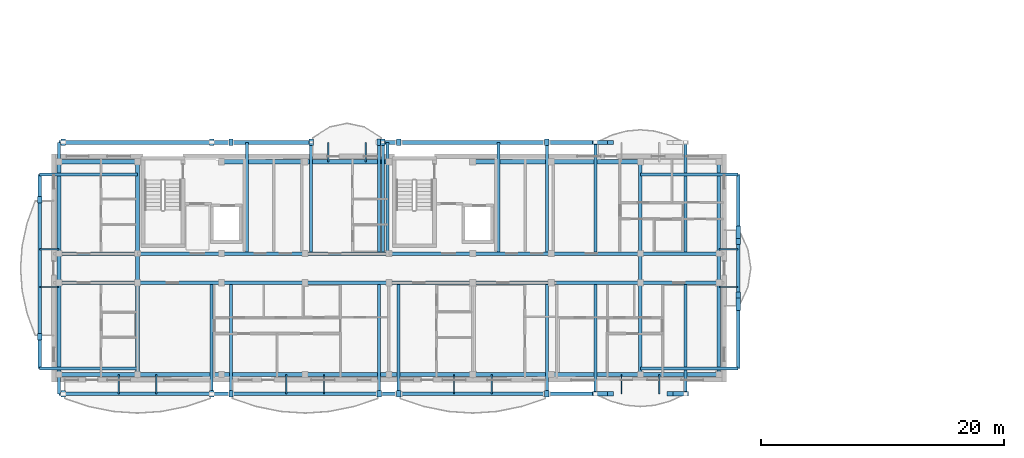
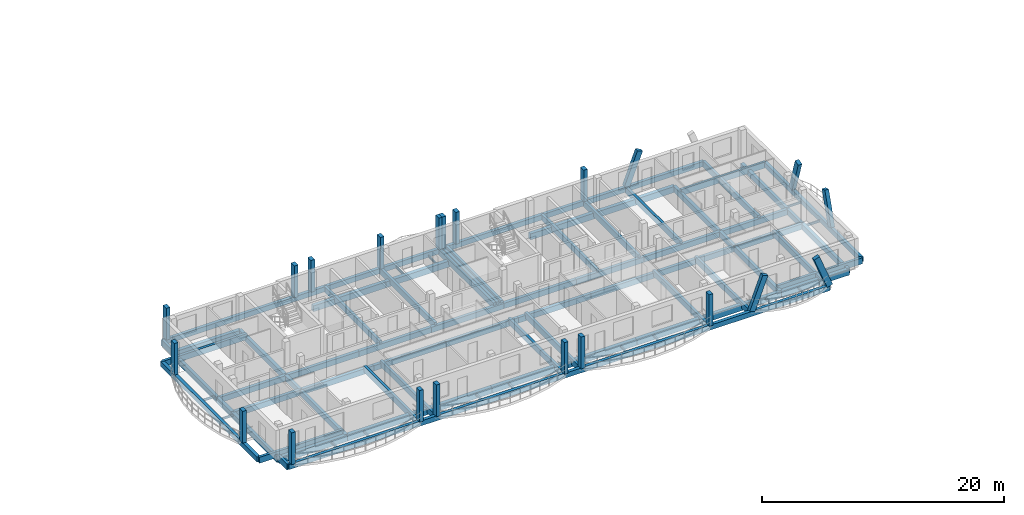
# One storey, part 3 of 42: 81 beams, 21 members.
"""IFC4 building model written with IfcOpenShell, lengths in metres."""

from ifc_helpers import new_model, si_unit, direction, frame, origin, origin_2d, place, context, subcontext, project, spatial, rectangle, i_section, extrude, material, material_profile, profile_set, type_object, element, save


model = new_model("IFC4")

# Units and contexts
model_context = context("Model", 3, precision=1e-05, world=origin(), true_north=direction((0.0, 1.0)))
body_context = subcontext(model_context, "Body", "Model", "MODEL_VIEW")
ifc_project = project(units=[si_unit("LENGTHUNIT", "METRE"), si_unit("AREAUNIT", "SQUARE_METRE"), si_unit("VOLUMEUNIT", "CUBIC_METRE"), si_unit("PLANEANGLEUNIT", "RADIAN"), si_unit("MASSUNIT", "GRAM", prefix="KILO")], contexts=[model_context])

# Site, building, storey
site_placement = place(None, origin())
site = spatial("IfcSite", under=ifc_project, at=site_placement, CompositionType="ELEMENT")
building_placement = place(site_placement, origin())
building = spatial("IfcBuilding", under=site, at=building_placement, Name="Zavelmont Quarter", CompositionType="ELEMENT")
storey_placement = place(building_placement, frame((0.0, 0.0, 24.0)))
storey = spatial("IfcBuildingStorey", under=building, at=storey_placement, Name="L07", CompositionType="ELEMENT", Elevation=24.0)

# Beams
ifc_material_1 = material(Name="Concrete C35/45", Category="concrete")
ifc_material_profile_1 = material_profile(ifc_material_1, rectangle(XDim=0.35009765625, YDim=0.60009765625, at=origin_2d()), Name="RC350X600")
ifc_profile_set_1 = profile_set([ifc_material_profile_1], Name="Concrete C35/45")
beam_type_1 = type_object("IfcBeamType", Name="BM01", PredefinedType="SPANDREL", material=ifc_profile_set_1)
beam_1_placement = place(storey_placement, frame((0.43994140625, 0.43994140625, -0.550048828125), z_axis=(1.0, 0.0, 0.0), x_axis=(0.0, 1.0, 0.0)))
element("IfcBeam", 1, at=beam_1_placement, inside=storey, type_object=beam_type_1, Name="L07 beam BM01 1/A to 2/A", PredefinedType="SPANDREL", context=body_context, shape_type="SweptSolid", body=[
    extrude(rectangle(XDim=0.35009765625, YDim=0.60009765625, at=origin_2d()), origin(), (0.0, 0.0, 1.0), 6.4599609375),
])
beam_2_placement = place(storey_placement, frame((6.89990234375, 0.43994140625, -0.550048828125), z_axis=(1.0, 0.0, 0.0), x_axis=(0.0, 1.0, 0.0)))
element("IfcBeam", 2, at=beam_2_placement, inside=storey, type_object=beam_type_1, Name="L07 beam BM01 2/A to 3/A", PredefinedType="SPANDREL", context=body_context, shape_type="SweptSolid", body=[
    extrude(rectangle(XDim=0.35009765625, YDim=0.60009765625, at=origin_2d()), origin(), (0.0, 0.0, 1.0), 6.900146484375),
])
beam_3_placement = place(storey_placement, frame((13.800048828125, 0.43994140625, -0.550048828125), z_axis=(1.0, 0.0, 0.0), x_axis=(0.0, 1.0, 0.0)))
element("IfcBeam", 3, at=beam_3_placement, inside=storey, type_object=beam_type_1, Name="L07 beam BM01 3/A to 4/A", PredefinedType="SPANDREL", context=body_context, shape_type="SweptSolid", body=[
    extrude(rectangle(XDim=0.35009765625, YDim=0.60009765625, at=origin_2d()), origin(), (0.0, 0.0, 1.0), 6.89990234375),
])
beam_4_placement = place(storey_placement, frame((20.699951171875, 0.43994140625, -0.550048828125), z_axis=(1.0, 0.0, 0.0), x_axis=(0.0, 1.0, 0.0)))
element("IfcBeam", 4, at=beam_4_placement, inside=storey, type_object=beam_type_1, Name="L07 beam BM01 4/A to 5/A", PredefinedType="SPANDREL", context=body_context, shape_type="SweptSolid", body=[
    extrude(rectangle(XDim=0.35009765625, YDim=0.60009765625, at=origin_2d()), origin(), (0.0, 0.0, 1.0), 6.900146484375),
])
beam_5_placement = place(storey_placement, frame((27.60009765625, 0.43994140625, -0.550048828125), z_axis=(1.0, 0.0, 0.0), x_axis=(0.0, 1.0, 0.0)))
element("IfcBeam", 5, at=beam_5_placement, inside=storey, type_object=beam_type_1, Name="L07 beam BM01 5/A to 6/A", PredefinedType="SPANDREL", context=body_context, shape_type="SweptSolid", body=[
    extrude(rectangle(XDim=0.35009765625, YDim=0.60009765625, at=origin_2d()), origin(), (0.0, 0.0, 1.0), 6.89990234375),
])
beam_6_placement = place(storey_placement, frame((34.5, 0.43994140625, -0.550048828125), z_axis=(1.0, 0.0, 0.0), x_axis=(0.0, 1.0, 0.0)))
element("IfcBeam", 6, at=beam_6_placement, inside=storey, type_object=beam_type_1, Name="L07 beam BM01 6/A to 7/A", PredefinedType="SPANDREL", context=body_context, shape_type="SweptSolid", body=[
    extrude(rectangle(XDim=0.35009765625, YDim=0.60009765625, at=origin_2d()), origin(), (0.0, 0.0, 1.0), 6.4599609375),
])
beam_7_placement = place(storey_placement, frame((40.9599609375, 0.43994140625, -0.550048828125), z_axis=(1.0, 0.0, 0.0), x_axis=(0.0, 1.0, 0.0)))
element("IfcBeam", 7, at=beam_7_placement, inside=storey, type_object=beam_type_1, Name="L07 beam BM01 7/A to 8/A", PredefinedType="SPANDREL", context=body_context, shape_type="SweptSolid", body=[
    extrude(rectangle(XDim=0.35009765625, YDim=0.60009765625, at=origin_2d()), origin(), (0.0, 0.0, 1.0), 7.340087890625),
])
for number, where, z_axis, x_axis, name in (
    (8, (48.300048828125, 0.43994140625, -0.550048828125), (1.0, 0.0, 0.0), (0.0, 1.0, 0.0), "L07 beam BM01 8/A to 9/A"),
    (9, (0.43994140625, 17.9599609375, -0.550048828125), (1.0, 0.0, 0.0), (0.0, 1.0, 0.0), "L07 beam BM01 1/D to 2/D"),
):
    element("IfcBeam", number, at=place(storey_placement, frame(where, z_axis=z_axis, x_axis=x_axis)), inside=storey, type_object=beam_type_1, Name=name, PredefinedType="SPANDREL", context=body_context, shape_type="SweptSolid", body=[
        extrude(rectangle(XDim=0.35009765625, YDim=0.60009765625, at=origin_2d()), origin(), (0.0, 0.0, 1.0), 6.4599609375),
    ])
beam_8_placement = place(storey_placement, frame((13.800048828125, 17.9599609375, -0.550048828125), z_axis=(1.0, 0.0, 0.0), x_axis=(0.0, 1.0, 0.0)))
element("IfcBeam", 10, at=beam_8_placement, inside=storey, type_object=beam_type_1, Name="L07 beam BM01 3/D to 4/D", PredefinedType="SPANDREL", context=body_context, shape_type="SweptSolid", body=[
    extrude(rectangle(XDim=0.35009765625, YDim=0.60009765625, at=origin_2d()), origin(), (0.0, 0.0, 1.0), 6.89990234375),
])
beam_9_placement = place(storey_placement, frame((20.699951171875, 17.9599609375, -0.550048828125), z_axis=(1.0, 0.0, 0.0), x_axis=(0.0, 1.0, 0.0)))
element("IfcBeam", 11, at=beam_9_placement, inside=storey, type_object=beam_type_1, Name="L07 beam BM01 4/D to 5/D", PredefinedType="SPANDREL", context=body_context, shape_type="SweptSolid", body=[
    extrude(rectangle(XDim=0.35009765625, YDim=0.60009765625, at=origin_2d()), origin(), (0.0, 0.0, 1.0), 6.900146484375),
])
beam_10_placement = place(storey_placement, frame((34.5, 17.9599609375, -0.550048828125), z_axis=(1.0, 0.0, 0.0), x_axis=(0.0, 1.0, 0.0)))
element("IfcBeam", 12, at=beam_10_placement, inside=storey, type_object=beam_type_1, Name="L07 beam BM01 6/D to 7/D", PredefinedType="SPANDREL", context=body_context, shape_type="SweptSolid", body=[
    extrude(rectangle(XDim=0.35009765625, YDim=0.60009765625, at=origin_2d()), origin(), (0.0, 0.0, 1.0), 6.4599609375),
])
beam_11_placement = place(storey_placement, frame((40.9599609375, 17.9599609375, -0.550048828125), z_axis=(1.0, 0.0, 0.0), x_axis=(0.0, 1.0, 0.0)))
element("IfcBeam", 13, at=beam_11_placement, inside=storey, type_object=beam_type_1, Name="L07 beam BM01 7/D to 8/D", PredefinedType="SPANDREL", context=body_context, shape_type="SweptSolid", body=[
    extrude(rectangle(XDim=0.35009765625, YDim=0.60009765625, at=origin_2d()), origin(), (0.0, 0.0, 1.0), 7.340087890625),
])
ifc_material_profile_2 = material_profile(ifc_material_1, rectangle(XDim=0.300048828125, YDim=0.550048828125, at=origin_2d()), Name="RC300X550")
ifc_profile_set_2 = profile_set([ifc_material_profile_2], Name="Concrete C35/45")
beam_type_2 = type_object("IfcBeamType", Name="BM02", PredefinedType="SPANDREL", material=ifc_profile_set_2)
beam_12_placement = place(storey_placement, frame((0.43994140625, 8.0, -0.52490234375), z_axis=(1.0, 0.0, 0.0), x_axis=(0.0, 1.0, 0.0)))
element("IfcBeam", 14, at=beam_12_placement, inside=storey, type_object=beam_type_2, Name="L07 beam BM02 1/B to 2/B", PredefinedType="SPANDREL", context=body_context, shape_type="SweptSolid", body=[
    extrude(rectangle(XDim=0.300048828125, YDim=0.550048828125, at=origin_2d()), origin(), (0.0, 0.0, 1.0), 6.4599609375),
])
beam_13_placement = place(storey_placement, frame((6.89990234375, 8.0, -0.52490234375), z_axis=(1.0, 0.0, 0.0), x_axis=(0.0, 1.0, 0.0)))
element("IfcBeam", 15, at=beam_13_placement, inside=storey, type_object=beam_type_2, Name="L07 beam BM02 2/B to 3/B", PredefinedType="SPANDREL", context=body_context, shape_type="SweptSolid", body=[
    extrude(rectangle(XDim=0.300048828125, YDim=0.550048828125, at=origin_2d()), origin(), (0.0, 0.0, 1.0), 6.900146484375),
])
beam_14_placement = place(storey_placement, frame((13.800048828125, 8.0, -0.52490234375), z_axis=(1.0, 0.0, 0.0), x_axis=(0.0, 1.0, 0.0)))
element("IfcBeam", 16, at=beam_14_placement, inside=storey, type_object=beam_type_2, Name="L07 beam BM02 3/B to 4/B", PredefinedType="SPANDREL", context=body_context, shape_type="SweptSolid", body=[
    extrude(rectangle(XDim=0.300048828125, YDim=0.550048828125, at=origin_2d()), origin(), (0.0, 0.0, 1.0), 6.89990234375),
])
beam_15_placement = place(storey_placement, frame((20.699951171875, 8.0, -0.52490234375), z_axis=(1.0, 0.0, 0.0), x_axis=(0.0, 1.0, 0.0)))
element("IfcBeam", 17, at=beam_15_placement, inside=storey, type_object=beam_type_2, Name="L07 beam BM02 4/B to 5/B", PredefinedType="SPANDREL", context=body_context, shape_type="SweptSolid", body=[
    extrude(rectangle(XDim=0.300048828125, YDim=0.550048828125, at=origin_2d()), origin(), (0.0, 0.0, 1.0), 6.900146484375),
])
beam_16_placement = place(storey_placement, frame((27.60009765625, 8.0, -0.52490234375), z_axis=(1.0, 0.0, 0.0), x_axis=(0.0, 1.0, 0.0)))
element("IfcBeam", 18, at=beam_16_placement, inside=storey, type_object=beam_type_2, Name="L07 beam BM02 5/B to 6/B", PredefinedType="SPANDREL", context=body_context, shape_type="SweptSolid", body=[
    extrude(rectangle(XDim=0.300048828125, YDim=0.550048828125, at=origin_2d()), origin(), (0.0, 0.0, 1.0), 6.89990234375),
])
beam_17_placement = place(storey_placement, frame((34.5, 8.0, -0.52490234375), z_axis=(1.0, 0.0, 0.0), x_axis=(0.0, 1.0, 0.0)))
element("IfcBeam", 19, at=beam_17_placement, inside=storey, type_object=beam_type_2, Name="L07 beam BM02 6/B to 7/B", PredefinedType="SPANDREL", context=body_context, shape_type="SweptSolid", body=[
    extrude(rectangle(XDim=0.300048828125, YDim=0.550048828125, at=origin_2d()), origin(), (0.0, 0.0, 1.0), 6.4599609375),
])
beam_18_placement = place(storey_placement, frame((40.9599609375, 8.0, -0.52490234375), z_axis=(1.0, 0.0, 0.0), x_axis=(0.0, 1.0, 0.0)))
element("IfcBeam", 20, at=beam_18_placement, inside=storey, type_object=beam_type_2, Name="L07 beam BM02 7/B to 8/B", PredefinedType="SPANDREL", context=body_context, shape_type="SweptSolid", body=[
    extrude(rectangle(XDim=0.300048828125, YDim=0.550048828125, at=origin_2d()), origin(), (0.0, 0.0, 1.0), 7.340087890625),
])
for number, where, z_axis, x_axis, name in (
    (21, (48.300048828125, 8.0, -0.52490234375), (1.0, 0.0, 0.0), (0.0, 1.0, 0.0), "L07 beam BM02 8/B to 9/B"),
    (22, (0.43994140625, 10.39990234375, -0.52490234375), (1.0, 0.0, 0.0), (0.0, 1.0, 0.0), "L07 beam BM02 1/C to 2/C"),
):
    element("IfcBeam", number, at=place(storey_placement, frame(where, z_axis=z_axis, x_axis=x_axis)), inside=storey, type_object=beam_type_2, Name=name, PredefinedType="SPANDREL", context=body_context, shape_type="SweptSolid", body=[
        extrude(rectangle(XDim=0.300048828125, YDim=0.550048828125, at=origin_2d()), origin(), (0.0, 0.0, 1.0), 6.4599609375),
    ])
beam_19_placement = place(storey_placement, frame((6.89990234375, 10.39990234375, -0.52490234375), z_axis=(1.0, 0.0, 0.0), x_axis=(0.0, 1.0, 0.0)))
element("IfcBeam", 23, at=beam_19_placement, inside=storey, type_object=beam_type_2, Name="L07 beam BM02 2/C to 3/C", PredefinedType="SPANDREL", context=body_context, shape_type="SweptSolid", body=[
    extrude(rectangle(XDim=0.300048828125, YDim=0.550048828125, at=origin_2d()), origin(), (0.0, 0.0, 1.0), 6.900146484375),
])
beam_20_placement = place(storey_placement, frame((13.800048828125, 10.39990234375, -0.52490234375), z_axis=(1.0, 0.0, 0.0), x_axis=(0.0, 1.0, 0.0)))
element("IfcBeam", 24, at=beam_20_placement, inside=storey, type_object=beam_type_2, Name="L07 beam BM02 3/C to 4/C", PredefinedType="SPANDREL", context=body_context, shape_type="SweptSolid", body=[
    extrude(rectangle(XDim=0.300048828125, YDim=0.550048828125, at=origin_2d()), origin(), (0.0, 0.0, 1.0), 6.89990234375),
])
beam_21_placement = place(storey_placement, frame((20.699951171875, 10.39990234375, -0.52490234375), z_axis=(1.0, 0.0, 0.0), x_axis=(0.0, 1.0, 0.0)))
element("IfcBeam", 25, at=beam_21_placement, inside=storey, type_object=beam_type_2, Name="L07 beam BM02 4/C to 5/C", PredefinedType="SPANDREL", context=body_context, shape_type="SweptSolid", body=[
    extrude(rectangle(XDim=0.300048828125, YDim=0.550048828125, at=origin_2d()), origin(), (0.0, 0.0, 1.0), 6.900146484375),
])
beam_22_placement = place(storey_placement, frame((27.60009765625, 10.39990234375, -0.52490234375), z_axis=(1.0, 0.0, 0.0), x_axis=(0.0, 1.0, 0.0)))
element("IfcBeam", 26, at=beam_22_placement, inside=storey, type_object=beam_type_2, Name="L07 beam BM02 5/C to 6/C", PredefinedType="SPANDREL", context=body_context, shape_type="SweptSolid", body=[
    extrude(rectangle(XDim=0.300048828125, YDim=0.550048828125, at=origin_2d()), origin(), (0.0, 0.0, 1.0), 6.89990234375),
])
beam_23_placement = place(storey_placement, frame((34.5, 10.39990234375, -0.52490234375), z_axis=(1.0, 0.0, 0.0), x_axis=(0.0, 1.0, 0.0)))
element("IfcBeam", 27, at=beam_23_placement, inside=storey, type_object=beam_type_2, Name="L07 beam BM02 6/C to 7/C", PredefinedType="SPANDREL", context=body_context, shape_type="SweptSolid", body=[
    extrude(rectangle(XDim=0.300048828125, YDim=0.550048828125, at=origin_2d()), origin(), (0.0, 0.0, 1.0), 6.4599609375),
])
beam_24_placement = place(storey_placement, frame((40.9599609375, 10.39990234375, -0.52490234375), z_axis=(1.0, 0.0, 0.0), x_axis=(0.0, 1.0, 0.0)))
element("IfcBeam", 28, at=beam_24_placement, inside=storey, type_object=beam_type_2, Name="L07 beam BM02 7/C to 8/C", PredefinedType="SPANDREL", context=body_context, shape_type="SweptSolid", body=[
    extrude(rectangle(XDim=0.300048828125, YDim=0.550048828125, at=origin_2d()), origin(), (0.0, 0.0, 1.0), 7.340087890625),
])
beam_25_placement = place(storey_placement, frame((48.300048828125, 10.39990234375, -0.52490234375), z_axis=(1.0, 0.0, 0.0), x_axis=(0.0, 1.0, 0.0)))
element("IfcBeam", 29, at=beam_25_placement, inside=storey, type_object=beam_type_2, Name="L07 beam BM02 8/C to 9/C", PredefinedType="SPANDREL", context=body_context, shape_type="SweptSolid", body=[
    extrude(rectangle(XDim=0.300048828125, YDim=0.550048828125, at=origin_2d()), origin(), (0.0, 0.0, 1.0), 6.4599609375),
])
beam_26_placement = place(storey_placement, frame((0.43994140625, 0.43994140625, -0.52490234375), z_axis=(0.0, 1.0, 0.0), x_axis=(-1.0, 0.0, 0.0)))
element("IfcBeam", 30, at=beam_26_placement, inside=storey, type_object=beam_type_2, Name="L07 beam BM02 1/A to 1/B", PredefinedType="SPANDREL", context=body_context, shape_type="SweptSolid", body=[
    extrude(rectangle(XDim=0.300048828125, YDim=0.550048828125, at=origin_2d()), origin(), (0.0, 0.0, 1.0), 7.56005859375),
])
beam_27_placement = place(storey_placement, frame((0.43994140625, 8.0, -0.52490234375), z_axis=(0.0, 1.0, 0.0), x_axis=(-1.0, 0.0, 0.0)))
element("IfcBeam", 31, at=beam_27_placement, inside=storey, type_object=beam_type_2, Name="L07 beam BM02 1/B to 1/C", PredefinedType="SPANDREL", context=body_context, shape_type="SweptSolid", body=[
    extrude(rectangle(XDim=0.300048828125, YDim=0.550048828125, at=origin_2d()), origin(), (0.0, 0.0, 1.0), 2.39990234375),
])
for number, where, z_axis, x_axis, name in (
    (32, (0.43994140625, 10.39990234375, -0.52490234375), (0.0, 1.0, 0.0), (-1.0, 0.0, 0.0), "L07 beam BM02 1/C to 1/D"),
    (33, (6.89990234375, 0.43994140625, -0.52490234375), (0.0, 1.0, 0.0), (-1.0, 0.0, 0.0), "L07 beam BM02 2/A to 2/B"),
):
    element("IfcBeam", number, at=place(storey_placement, frame(where, z_axis=z_axis, x_axis=x_axis)), inside=storey, type_object=beam_type_2, Name=name, PredefinedType="SPANDREL", context=body_context, shape_type="SweptSolid", body=[
        extrude(rectangle(XDim=0.300048828125, YDim=0.550048828125, at=origin_2d()), origin(), (0.0, 0.0, 1.0), 7.56005859375),
    ])
beam_28_placement = place(storey_placement, frame((6.89990234375, 8.0, -0.52490234375), z_axis=(0.0, 1.0, 0.0), x_axis=(-1.0, 0.0, 0.0)))
element("IfcBeam", 34, at=beam_28_placement, inside=storey, type_object=beam_type_2, Name="L07 beam BM02 2/B to 2/C", PredefinedType="SPANDREL", context=body_context, shape_type="SweptSolid", body=[
    extrude(rectangle(XDim=0.300048828125, YDim=0.550048828125, at=origin_2d()), origin(), (0.0, 0.0, 1.0), 2.39990234375),
])
for number, where, z_axis, x_axis, name in (
    (35, (6.89990234375, 10.39990234375, -0.52490234375), (0.0, 1.0, 0.0), (-1.0, 0.0, 0.0), "L07 beam BM02 2/C to 2/D"),
    (36, (48.300048828125, 0.43994140625, -0.52490234375), (0.0, 1.0, 0.0), (-1.0, 0.0, 0.0), "L07 beam BM02 8/A to 8/B"),
):
    element("IfcBeam", number, at=place(storey_placement, frame(where, z_axis=z_axis, x_axis=x_axis)), inside=storey, type_object=beam_type_2, Name=name, PredefinedType="SPANDREL", context=body_context, shape_type="SweptSolid", body=[
        extrude(rectangle(XDim=0.300048828125, YDim=0.550048828125, at=origin_2d()), origin(), (0.0, 0.0, 1.0), 7.56005859375),
    ])
beam_29_placement = place(storey_placement, frame((48.300048828125, 8.0, -0.52490234375), z_axis=(0.0, 1.0, 0.0), x_axis=(-1.0, 0.0, 0.0)))
element("IfcBeam", 37, at=beam_29_placement, inside=storey, type_object=beam_type_2, Name="L07 beam BM02 8/B to 8/C", PredefinedType="SPANDREL", context=body_context, shape_type="SweptSolid", body=[
    extrude(rectangle(XDim=0.300048828125, YDim=0.550048828125, at=origin_2d()), origin(), (0.0, 0.0, 1.0), 2.39990234375),
])
for number, where, z_axis, x_axis, name in (
    (38, (48.300048828125, 10.39990234375, -0.52490234375), (0.0, 1.0, 0.0), (-1.0, 0.0, 0.0), "L07 beam BM02 8/C to 8/D"),
    (39, (54.760009765625, 0.43994140625, -0.52490234375), (0.0, 1.0, 0.0), (-1.0, 0.0, 0.0), "L07 beam BM02 9/A to 9/B"),
):
    element("IfcBeam", number, at=place(storey_placement, frame(where, z_axis=z_axis, x_axis=x_axis)), inside=storey, type_object=beam_type_2, Name=name, PredefinedType="SPANDREL", context=body_context, shape_type="SweptSolid", body=[
        extrude(rectangle(XDim=0.300048828125, YDim=0.550048828125, at=origin_2d()), origin(), (0.0, 0.0, 1.0), 7.56005859375),
    ])
beam_30_placement = place(storey_placement, frame((54.760009765625, 8.0, -0.52490234375), z_axis=(0.0, 1.0, 0.0), x_axis=(-1.0, 0.0, 0.0)))
element("IfcBeam", 40, at=beam_30_placement, inside=storey, type_object=beam_type_2, Name="L07 beam BM02 9/B to 9/C", PredefinedType="SPANDREL", context=body_context, shape_type="SweptSolid", body=[
    extrude(rectangle(XDim=0.300048828125, YDim=0.550048828125, at=origin_2d()), origin(), (0.0, 0.0, 1.0), 2.39990234375),
])
beam_31_placement = place(storey_placement, frame((54.760009765625, 10.39990234375, -0.52490234375), z_axis=(0.0, 1.0, 0.0), x_axis=(-1.0, 0.0, 0.0)))
element("IfcBeam", 41, at=beam_31_placement, inside=storey, type_object=beam_type_2, Name="L07 beam BM02 9/C to 9/D", PredefinedType="SPANDREL", context=body_context, shape_type="SweptSolid", body=[
    extrude(rectangle(XDim=0.300048828125, YDim=0.550048828125, at=origin_2d()), origin(), (0.0, 0.0, 1.0), 7.56005859375),
])
ifc_material_profile_3 = material_profile(ifc_material_1, rectangle(XDim=0.300048828125, YDim=0.5, at=origin_2d()), Name="RC300X500")
ifc_profile_set_3 = profile_set([ifc_material_profile_3], Name="Concrete C35/45")
beam_type_3 = type_object("IfcBeamType", Name="BM03", PredefinedType="BEAM", material=ifc_profile_set_3)
for number, where, z_axis, x_axis, name in (
    (42, (0.43994140625, -1.14990234375, -0.25), (1.0, 0.0, 0.0), (0.0, 1.0, 0.0), "L07 beam BM03 1/A to 9/A"),
    (43, (0.43994140625, 19.550048828125, -0.25), (1.0, 0.0, 0.0), (0.0, 1.0, 0.0), "L07 beam BM03 1/D to 9/D"),
):
    element("IfcBeam", number, at=place(storey_placement, frame(where, z_axis=z_axis, x_axis=x_axis)), inside=storey, type_object=beam_type_3, Name=name, PredefinedType="BEAM", context=body_context, shape_type="SweptSolid", body=[
        extrude(rectangle(XDim=0.300048828125, YDim=0.5, at=origin_2d()), origin(), (0.0, 0.0, 1.0), 51.56103515625),
    ])
for number, where, z_axis, x_axis, name in (
    (44, (-1.14990234375, 0.949951171875, -0.25), (0.0, 1.0, 0.0), (-1.0, 0.0, 0.0), "L07 beam BM03 1/A to 1/D"),
    (45, (56.35009765625, 0.949951171875, -0.25), (0.0, 1.0, 0.0), (-1.0, 0.0, 0.0), "L07 beam BM03 9/A to 9/D"),
):
    element("IfcBeam", number, at=place(storey_placement, frame(where, z_axis=z_axis, x_axis=x_axis)), inside=storey, type_object=beam_type_3, Name=name, PredefinedType="BEAM", context=body_context, shape_type="SweptSolid", body=[
        extrude(rectangle(XDim=0.300048828125, YDim=0.5, at=origin_2d()), origin(), (0.0, 0.0, 1.0), 15.949951171875),
    ])
ifc_material_2 = material(Name="Steel S355", Category="steel")
ifc_material_profile_4 = material_profile(ifc_material_2, i_section(OverallWidth=0.110107421875, OverallDepth=0.219970703125, WebThickness=0.005859375, FlangeThickness=0.00927734375, at=origin_2d()), Name="IPE 220")
ifc_profile_set_4 = profile_set([ifc_material_profile_4], Name="Steel S355")
beam_type_4 = type_object("IfcBeamType", Name="BM15", PredefinedType="JOIST", material=ifc_profile_set_4)
for number, where, z_axis, x_axis, name in (
    (46, (5.35009765625, 0.43994140625, -0.362060546875), (0.0, -1.0, 0.0), (1.0, 0.0, 0.0), "L07 beam BM15 2/A to 2/A"),
    (47, (8.449951171875, 0.43994140625, -0.362060546875), (0.0, -1.0, 0.0), (1.0, 0.0, 0.0), "L07 beam BM15 2/A to 2/A"),
    (48, (19.14990234375, 0.43994140625, -0.366943359375), (0.0, -1.0, 0.0), (1.0, 0.0, 0.0), "L07 beam BM15 4/A to 4/A"),
    (49, (22.25, 0.43994140625, -0.366943359375), (0.0, -1.0, 0.0), (1.0, 0.0, 0.0), "L07 beam BM15 4/A to 4/A"),
    (50, (32.949951171875, 0.43994140625, -0.362060546875), (0.0, -1.0, 0.0), (1.0, 0.0, 0.0), "L07 beam BM15 6/A to 6/A"),
    (51, (36.050048828125, 0.43994140625, -0.362060546875), (0.0, -1.0, 0.0), (1.0, 0.0, 0.0), "L07 beam BM15 6/A to 6/A"),
    (52, (46.75, 0.43994140625, -0.362060546875), (0.0, -1.0, 0.0), (1.0, 0.0, 0.0), "L07 beam BM15 8/A to 8/A"),
    (53, (49.85009765625, 0.43994140625, -0.362060546875), (0.0, -1.0, 0.0), (1.0, 0.0, 0.0), "L07 beam BM15 8/A to 8/A"),
    (54, (0.43994140625, 7.64990234375, -0.366943359375), (-1.0, 0.0, 0.0), (0.0, -1.0, 0.0), "L07 beam BM15 1/B to 1/B"),
    (55, (0.43994140625, 10.75, -0.366943359375), (-1.0, 0.0, 0.0), (0.0, -1.0, 0.0), "L07 beam BM15 1/C to 1/C"),
):
    element("IfcBeam", number, at=place(storey_placement, frame(where, z_axis=z_axis, x_axis=x_axis)), inside=storey, type_object=beam_type_4, Name=name, PredefinedType="JOIST", context=body_context, shape_type="SweptSolid", body=[
        extrude(i_section(OverallWidth=0.110107421875, OverallDepth=0.219970703125, WebThickness=0.005859375, FlangeThickness=0.00927734375, at=origin_2d()), origin(), (0.0, 0.0, 1.0), 1.58984375),
    ])
for number, where, z_axis, x_axis, name in (
    (56, (54.760009765625, 7.64990234375, -0.362060546875), (1.0, 0.0, 0.0), (0.0, 1.0, 0.0), "L07 beam BM15 9/B to 9/B"),
    (57, (54.760009765625, 10.75, -0.362060546875), (1.0, 0.0, 0.0), (0.0, 1.0, 0.0), "L07 beam BM15 9/C to 9/C"),
    (58, (22.60009765625, 17.9599609375, -0.362060546875), (0.0, 1.0, 0.0), (-1.0, 0.0, 0.0), "L07 beam BM15 4/D to 4/D"),
    (59, (25.699951171875, 17.9599609375, -0.362060546875), (0.0, 1.0, 0.0), (-1.0, 0.0, 0.0), "L07 beam BM15 5/D to 5/D"),
):
    element("IfcBeam", number, at=place(storey_placement, frame(where, z_axis=z_axis, x_axis=x_axis)), inside=storey, type_object=beam_type_4, Name=name, PredefinedType="JOIST", context=body_context, shape_type="SweptSolid", body=[
        extrude(i_section(OverallWidth=0.110107421875, OverallDepth=0.219970703125, WebThickness=0.005859375, FlangeThickness=0.00927734375, at=origin_2d()), origin(), (0.0, 0.0, 1.0), 1.590087890625),
    ])
ifc_material_3 = material(Name="Concrete C40/50", Category="concrete")
ifc_material_profile_5 = material_profile(ifc_material_3, rectangle(XDim=0.25, YDim=0.60009765625, at=origin_2d()), Name="RC250X600")
ifc_profile_set_5 = profile_set([ifc_material_profile_5], Name="Concrete C40/50")
beam_type_5 = type_object("IfcBeamType", Name="BM18", PredefinedType="BEAM", material=ifc_profile_set_5)
beam_32_placement = place(storey_placement, frame((0.43994140625, 0.43994140625, -0.300048828125), z_axis=(0.0, -1.0, 0.0), x_axis=(1.0, 0.0, 0.0)))
element("IfcBeam", 60, at=beam_32_placement, inside=storey, type_object=beam_type_5, Name="L07 beam BM18 1/A to 1/A", PredefinedType="BEAM", context=body_context, shape_type="SweptSolid", body=[
    extrude(rectangle(XDim=0.25, YDim=0.60009765625, at=origin_2d()), origin(), (0.0, 0.0, 1.0), 1.58984375),
])
for number, where, z_axis, x_axis, name in (
    (61, (13.0, 8.0, -0.300048828125), (0.0, -1.0, 0.0), (1.0, 0.0, 0.0), "L07 beam BM18 3/B to 3/A"),
    (62, (14.60009765625, 8.0, -0.300048828125), (0.0, -1.0, 0.0), (1.0, 0.0, 0.0), "L07 beam BM18 3/B to 3/A"),
    (63, (26.800048828125, 8.0, -0.300048828125), (0.0, -1.0, 0.0), (1.0, 0.0, 0.0), "L07 beam BM18 5/B to 5/A"),
    (64, (28.39990234375, 8.0, -0.300048828125), (0.0, -1.0, 0.0), (1.0, 0.0, 0.0), "L07 beam BM18 5/B to 5/A"),
    (65, (40.60009765625, 8.0, -0.300048828125), (0.0, -1.0, 0.0), (1.0, 0.0, 0.0), "L07 beam BM18 7/B to 7/A"),
    (66, (44.5986328125, 8.0, -0.300048828125), (0.0, -1.0, 0.0), (1.0, 0.0, 0.0), "L07 beam BM18 7/B to 7/A"),
    (67, (52.001220703125, 8.0, -0.300048828125), (0.0, -1.0, 0.0), (1.0, 0.0, 0.0), "L07 beam BM18 9/B to 9/A"),
):
    element("IfcBeam", number, at=place(storey_placement, frame(where, z_axis=z_axis, x_axis=x_axis)), inside=storey, type_object=beam_type_5, Name=name, PredefinedType="BEAM", context=body_context, shape_type="SweptSolid", body=[
        extrude(rectangle(XDim=0.25, YDim=0.60009765625, at=origin_2d()), origin(), (0.0, 0.0, 1.0), 9.14990234375),
    ])
beam_33_placement = place(storey_placement, frame((0.43994140625, 17.9599609375, -0.300048828125), z_axis=(0.0, 1.0, 0.0), x_axis=(-1.0, 0.0, 0.0)))
element("IfcBeam", 68, at=beam_33_placement, inside=storey, type_object=beam_type_5, Name="L07 beam BM18 1/D to 1/D", PredefinedType="BEAM", context=body_context, shape_type="SweptSolid", body=[
    extrude(rectangle(XDim=0.25, YDim=0.60009765625, at=origin_2d()), origin(), (0.0, 0.0, 1.0), 1.590087890625),
])
for number, where, z_axis, x_axis, name in (
    (69, (15.925048828125, 10.39990234375, -0.300048828125), (0.0, 1.0, 0.0), (-1.0, 0.0, 0.0), "L07 beam BM18 3/C to 3/D"),
    (70, (26.800048828125, 10.39990234375, -0.300048828125), (0.0, 1.0, 0.0), (-1.0, 0.0, 0.0), "L07 beam BM18 5/C to 5/D"),
    (71, (27.5, 10.39990234375, -0.300048828125), (0.0, 1.0, 0.0), (-1.0, 0.0, 0.0), "L07 beam BM18 5/C to 5/D"),
    (72, (36.625, 10.39990234375, -0.300048828125), (0.0, 1.0, 0.0), (-1.0, 0.0, 0.0), "L07 beam BM18 6/C to 6/D"),
    (73, (40.60009765625, 10.39990234375, -0.300048828125), (0.0, 1.0, 0.0), (-1.0, 0.0, 0.0), "L07 beam BM18 7/C to 7/D"),
    (74, (44.5986328125, 10.39990234375, -0.300048828125), (0.0, 1.0, 0.0), (-1.0, 0.0, 0.0), "L07 beam BM18 7/C to 7/D"),
    (75, (52.001220703125, 10.39990234375, -0.300048828125), (0.0, 1.0, 0.0), (-1.0, 0.0, 0.0), "L07 beam BM18 9/C to 9/D"),
    (76, (21.199951171875, 10.39990234375, -0.300048828125), (0.0, 1.0, 0.0), (-1.0, 0.0, 0.0), "L07 beam BM18 4/C to 4/D"),
    (77, (27.10009765625, 10.39990234375, -0.300048828125), (0.0, 1.0, 0.0), (-1.0, 0.0, 0.0), "L07 beam BM18 5/C to 5/D"),
):
    element("IfcBeam", number, at=place(storey_placement, frame(where, z_axis=z_axis, x_axis=x_axis)), inside=storey, type_object=beam_type_5, Name=name, PredefinedType="BEAM", context=body_context, shape_type="SweptSolid", body=[
        extrude(rectangle(XDim=0.25, YDim=0.60009765625, at=origin_2d()), origin(), (0.0, 0.0, 1.0), 9.150146484375),
    ])
for number, where, z_axis, x_axis, name in (
    (78, (6.89990234375, 0.949951171875, -0.300048828125), (-1.0, 0.0, 0.0), (0.0, -1.0, 0.0), "L07 beam BM18 2/A to 1/A"),
    (79, (6.89990234375, 16.89990234375, -0.300048828125), (-1.0, 0.0, 0.0), (0.0, -1.0, 0.0), "L07 beam BM18 2/D to 1/D"),
):
    element("IfcBeam", number, at=place(storey_placement, frame(where, z_axis=z_axis, x_axis=x_axis)), inside=storey, type_object=beam_type_5, Name=name, PredefinedType="BEAM", context=body_context, shape_type="SweptSolid", body=[
        extrude(rectangle(XDim=0.25, YDim=0.60009765625, at=origin_2d()), origin(), (0.0, 0.0, 1.0), 8.0498046875),
    ])
for number, where, z_axis, x_axis, name in (
    (80, (48.300048828125, 0.949951171875, -0.300048828125), (1.0, 0.0, 0.0), (0.0, 1.0, 0.0), "L07 beam BM18 8/A to 9/A"),
    (81, (48.300048828125, 16.89990234375, -0.300048828125), (1.0, 0.0, 0.0), (0.0, 1.0, 0.0), "L07 beam BM18 8/D to 9/D"),
):
    element("IfcBeam", number, at=place(storey_placement, frame(where, z_axis=z_axis, x_axis=x_axis)), inside=storey, type_object=beam_type_5, Name=name, PredefinedType="BEAM", context=body_context, shape_type="SweptSolid", body=[
        extrude(rectangle(XDim=0.25, YDim=0.60009765625, at=origin_2d()), origin(), (0.0, 0.0, 1.0), 8.050048828125),
    ])

# Members
ifc_material_4 = material(Name="White architectural precast concrete C40/50", Category="concrete")
ifc_material_profile_6 = material_profile(ifc_material_4, rectangle(XDim=0.360107421875, YDim=0.5400390625, at=origin_2d()), Name="PCR280X420")
ifc_profile_set_6 = profile_set([ifc_material_profile_6], Name="White architectural precast concrete C40/50")
member_type = type_object("IfcMemberType", Name="VR02M", PredefinedType="CHORD", material=ifc_profile_set_6)
for number, where, z_axis, x_axis, name in (
    (82, (0.800048828125, -1.14990234375, 0.0), (0.0, 0.0, 1.0), (1.0, 0.0, 0.0), "L07 member VR02M 1/A to 1/A"),
    (83, (13.0, -1.14990234375, 0.0), (0.0, 0.0, 1.0), (1.0, 0.0, 0.0), "L07 member VR02M 3/A to 3/A"),
    (84, (14.60009765625, -1.14990234375, 0.0), (0.0, 0.0, 1.0), (1.0, 0.0, 0.0), "L07 member VR02M 3/A to 3/A"),
    (85, (26.800048828125, -1.14990234375, 0.0), (0.0, 0.0, 1.0), (1.0, 0.0, 0.0), "L07 member VR02M 5/A to 5/A"),
    (86, (28.39990234375, -1.14990234375, 0.0), (0.0, 0.0, 1.0), (1.0, 0.0, 0.0), "L07 member VR02M 5/A to 5/A"),
    (87, (40.60009765625, -1.14990234375, 0.0), (0.0, 0.0, 1.0), (1.0, 0.0, 0.0), "L07 member VR02M 7/A to 7/A"),
):
    element("IfcMember", number, at=place(storey_placement, frame(where, z_axis=z_axis, x_axis=x_axis)), inside=storey, type_object=member_type, Name=name, PredefinedType="CHORD", context=body_context, shape_type="SweptSolid", body=[
        extrude(rectangle(XDim=0.360107421875, YDim=0.5400390625, at=origin_2d()), origin(), (0.0, 0.0, 1.0), 3.199951171875),
    ])
member_1_placement = place(storey_placement, frame((44.5986328125, -1.14990234375, 0.0), z_axis=(0.363546998909, 0.0, 0.931575858202), x_axis=(0.0, 1.0, 0.0)))
element("IfcMember", 88, at=member_1_placement, inside=storey, type_object=member_type, Name="L07 member VR02M 7/A to 8/A", PredefinedType="CHORD", context=body_context, shape_type="SweptSolid", body=[
    extrude(rectangle(XDim=0.360107421875, YDim=0.5400390625, at=origin_2d()), origin(), (0.0, 0.0, 1.0), 3.43505859375),
])
member_2_placement = place(storey_placement, frame((52.001220703125, -1.14990234375, 0.0), z_axis=(-0.363485315523, 0.0, 0.931599927758), x_axis=(0.0, -1.0, 0.0)))
element("IfcMember", 89, at=member_2_placement, inside=storey, type_object=member_type, Name="L07 member VR02M 9/A to 8/A", PredefinedType="CHORD", context=body_context, shape_type="SweptSolid", body=[
    extrude(rectangle(XDim=0.360107421875, YDim=0.5400390625, at=origin_2d()), origin(), (0.0, 0.0, 1.0), 3.434814453125),
])
for number, where, z_axis, x_axis, name in (
    (90, (0.800048828125, 19.550048828125, 0.0), (0.0, 0.0, 1.0), (1.0, 0.0, 0.0), "L07 member VR02M 1/D to 1/D"),
    (91, (13.0, 19.550048828125, 0.0), (0.0, 0.0, 1.0), (1.0, 0.0, 0.0), "L07 member VR02M 3/D to 3/D"),
    (92, (14.60009765625, 19.550048828125, 0.0), (0.0, 0.0, 1.0), (1.0, 0.0, 0.0), "L07 member VR02M 3/D to 3/D"),
    (93, (26.800048828125, 19.550048828125, 0.0), (0.0, 0.0, 1.0), (1.0, 0.0, 0.0), "L07 member VR02M 5/D to 5/D"),
    (94, (28.39990234375, 19.550048828125, 0.0), (0.0, 0.0, 1.0), (1.0, 0.0, 0.0), "L07 member VR02M 5/D to 5/D"),
    (95, (40.60009765625, 19.550048828125, 0.0), (0.0, 0.0, 1.0), (1.0, 0.0, 0.0), "L07 member VR02M 7/D to 7/D"),
):
    element("IfcMember", number, at=place(storey_placement, frame(where, z_axis=z_axis, x_axis=x_axis)), inside=storey, type_object=member_type, Name=name, PredefinedType="CHORD", context=body_context, shape_type="SweptSolid", body=[
        extrude(rectangle(XDim=0.360107421875, YDim=0.5400390625, at=origin_2d()), origin(), (0.0, 0.0, 1.0), 3.199951171875),
    ])
member_3_placement = place(storey_placement, frame((44.5986328125, 19.550048828125, 0.0), z_axis=(0.363546998909, 0.0, 0.931575858202), x_axis=(0.0, 1.0, 0.0)))
element("IfcMember", 96, at=member_3_placement, inside=storey, type_object=member_type, Name="L07 member VR02M 7/D to 8/D", PredefinedType="CHORD", context=body_context, shape_type="SweptSolid", body=[
    extrude(rectangle(XDim=0.360107421875, YDim=0.5400390625, at=origin_2d()), origin(), (0.0, 0.0, 1.0), 3.43505859375),
])
for number, where, z_axis, x_axis, name in (
    (97, (21.199951171875, 19.550048828125, 0.0), (0.0, 0.0, 1.0), (1.0, 0.0, 0.0), "L07 member VR02M 4/D to 4/D"),
    (98, (27.10009765625, 19.550048828125, 0.0), (0.0, 0.0, 1.0), (1.0, 0.0, 0.0), "L07 member VR02M 5/D to 5/D"),
    (99, (-1.14990234375, 3.550048828125, 0.0), (0.0, 0.0, 1.0), (1.0, 0.0, 0.0), "L07 member VR02M 1/A to 1/A"),
    (100, (-1.14990234375, 14.85009765625, 0.0), (0.0, 0.0, 1.0), (1.0, 0.0, 0.0), "L07 member VR02M 1/D to 1/D"),
):
    element("IfcMember", number, at=place(storey_placement, frame(where, z_axis=z_axis, x_axis=x_axis)), inside=storey, type_object=member_type, Name=name, PredefinedType="CHORD", context=body_context, shape_type="SweptSolid", body=[
        extrude(rectangle(XDim=0.360107421875, YDim=0.5400390625, at=origin_2d()), origin(), (0.0, 0.0, 1.0), 3.199951171875),
    ])
for number, where, z_axis, x_axis, name in (
    (101, (56.35009765625, 5.974853515625, 0.0), (0.0, 0.303638692645, 0.952787250297), (-1.0, 0.0, 0.0), "L07 member VR02M 9/B to 9/B"),
    (102, (56.35009765625, 12.425048828125, 0.0), (0.0, -0.30357269949, 0.952808278787), (1.0, 0.0, 0.0), "L07 member VR02M 9/C to 9/C"),
):
    element("IfcMember", number, at=place(storey_placement, frame(where, z_axis=z_axis, x_axis=x_axis)), inside=storey, type_object=member_type, Name=name, PredefinedType="CHORD", context=body_context, shape_type="SweptSolid", body=[
        extrude(rectangle(XDim=0.360107421875, YDim=0.5400390625, at=origin_2d()), origin(), (0.0, 0.0, 1.0), 3.3583984375),
    ])

save(model, "model.ifc")
